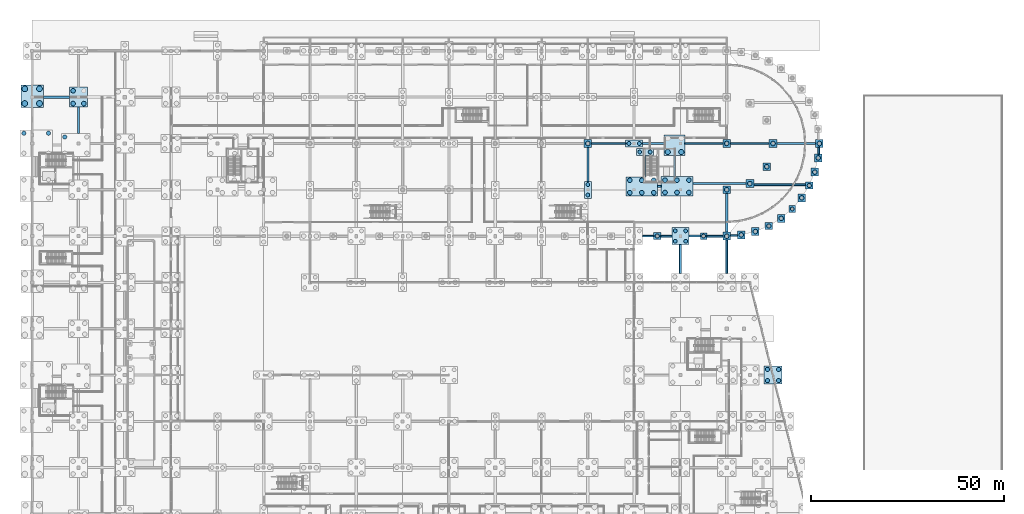
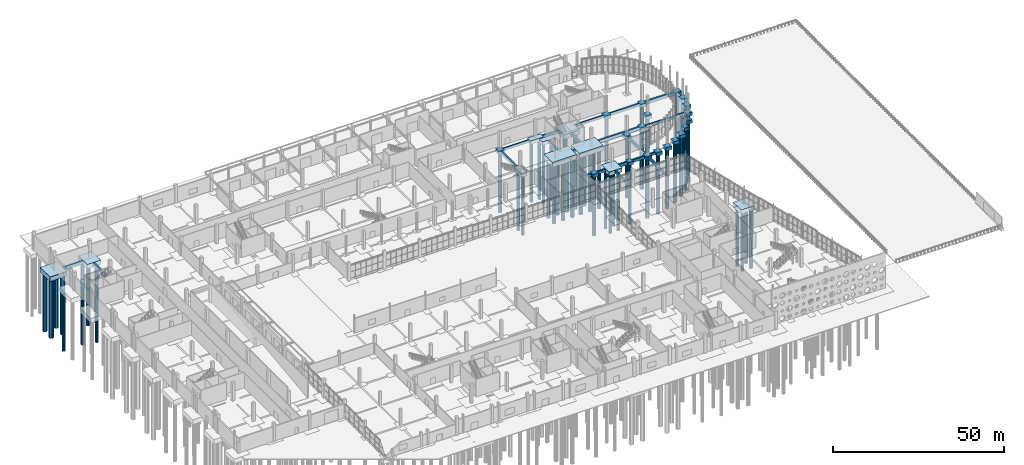
# One storey, part 11 of 117: 57 piles, 51 footings.
"""IFC4 building model written with IfcOpenShell, lengths in metres."""

import ifcopenshell
import ifcopenshell.guid

model = None  # the IFC model being written
_history = None  # IfcOwnerHistory: only IFC2X3 demands one
_inside = {}  # id of a spatial element -> (the spatial element, [elements in it])
_under = {}  # id of a project, library or spatial element -> (it, [spatial elements below it])
_declared = {}  # id of a project -> (the project, [libraries it declares])
_typed = {}  # id of a type object -> (the type object, [elements of that type])
_made_of = {}  # id of a material, layer set ... -> (it, [elements and type objects made of it])


def new_model(schema):
    """Start an empty IFC model of exactly this schema.

    Asked for "IFC4X3", IfcOpenShell would pick the latest addendum, in which some entities
    have other attributes; the version numbers below select the first issue.
    IFC2X3 requires an IfcOwnerHistory on every rooted entity: one is made here for all.
    """
    global model, _history
    if schema == "IFC4X3":
        model = ifcopenshell.file(schema_version=(4, 3, 0, 0))
    else:
        model = ifcopenshell.file(schema=schema)
    _inside.clear()
    _under.clear()
    _declared.clear()
    _typed.clear()
    _made_of.clear()
    _history = None
    if model.schema == "IFC2X3":
        org = make("IfcOrganization", Name="unknown")
        user = make(
            "IfcPersonAndOrganization",
            ThePerson=make("IfcPerson", FamilyName="unknown"),
            TheOrganization=org,
        )
        app = make(
            "IfcApplication",
            ApplicationDeveloper=org,
            Version="unknown",
            ApplicationFullName="unknown",
            ApplicationIdentifier="unknown",
        )
        _history = make(
            "IfcOwnerHistory",
            OwningUser=user,
            OwningApplication=app,
            ChangeAction="ADDED",
            CreationDate=0,
        )
    return model


def make(cls, **values):
    """One entity of the class cls with the attributes given. An attribute that is None is left unset."""
    return model.create_entity(
        cls, **{name: value for name, value in values.items() if value is not None}
    )


def rooted(cls, **values):
    """An entity with a GlobalId (a new one), such as an element, a storey or a relation."""
    return make(cls, GlobalId=ifcopenshell.guid.new(), OwnerHistory=_history, **values)


def si_unit(unit_type, name, prefix=None):
    """IfcSIUnit, for example si_unit("LENGTHUNIT", "METRE", prefix="MILLI")."""
    return make("IfcSIUnit", UnitType=unit_type, Prefix=prefix, Name=name)


def assignment(units):
    """IfcUnitAssignment: the units of a project."""
    return None if units is None else make("IfcUnitAssignment", Units=units)


def point(xyz):
    """IfcCartesianPoint."""
    return None if xyz is None else make("IfcCartesianPoint", Coordinates=xyz)


def direction(xyz):
    """IfcDirection."""
    return None if xyz is None else make("IfcDirection", DirectionRatios=xyz)


def frame(location, z_axis=None, x_axis=None):
    """IfcAxis2Placement3D, a coordinate frame: its origin and axes. An axis left out is left unset."""
    return make(
        "IfcAxis2Placement3D",
        Location=point(location),
        Axis=direction(z_axis),
        RefDirection=direction(x_axis),
    )


def frame_2d(location, x_axis=None):
    """IfcAxis2Placement2D, a coordinate frame in the plane: its origin and x axis."""
    return make(
        "IfcAxis2Placement2D", Location=point(location), RefDirection=direction(x_axis)
    )


def origin():
    """The frame at (0, 0, 0) with its axes left unset."""
    return frame((0.0, 0.0, 0.0))


def origin_2d():
    """The frame at (0, 0) in the plane with its x axis left unset."""
    return frame_2d((0.0, 0.0))


def place(relative_to, where):
    """IfcLocalPlacement: puts the frame where relative to a parent placement (None: the world)."""
    return make(
        "IfcLocalPlacement", PlacementRelTo=relative_to, RelativePlacement=where
    )


def context(
    kind, dimensions, precision=None, world=None, true_north=None, identifier=None
):
    """IfcGeometricRepresentationContext, for example the 3D "Model" context."""
    return make(
        "IfcGeometricRepresentationContext",
        ContextIdentifier=identifier,
        ContextType=kind,
        CoordinateSpaceDimension=dimensions,
        Precision=precision,
        WorldCoordinateSystem=world,
        TrueNorth=true_north,
    )


def subcontext(parent, identifier, kind, view, scale=None):
    """IfcGeometricRepresentationSubContext, for example "Body" below "Model"."""
    return make(
        "IfcGeometricRepresentationSubContext",
        ContextIdentifier=identifier,
        ContextType=kind,
        ParentContext=parent,
        TargetScale=scale,
        TargetView=view,
    )


def project(units=None, contexts=None):
    """IfcProject with its units and contexts."""
    return rooted(
        "IfcProject",
        Name="project",
        RepresentationContexts=contexts,
        UnitsInContext=assignment(units),
    )


def spatial(cls, under=None, at=None, **own):
    """A site, building, storey or space (cls), placed at a placement, below another one or the project."""
    s = rooted(cls, ObjectPlacement=at, **own)
    if under is not None:
        _under.setdefault(under.id(), (under, []))[1].append(s)
    return s


def profile(cls, at=None, kind="AREA", **sizes):
    """A parametric profile (cls). Its sizes go by their IFC names, for example OverallWidth=200.0."""
    return make(cls, ProfileType=kind, Position=at, **sizes)


def rectangle(**sizes):
    """IfcRectangleProfileDef."""
    return profile("IfcRectangleProfileDef", **sizes)


def circle(**sizes):
    """IfcCircleProfileDef."""
    return profile("IfcCircleProfileDef", **sizes)


def extrude(swept, where, along, depth):
    """IfcExtrudedAreaSolid: the profile swept, set in the frame where, extruded along a direction by depth."""
    return make(
        "IfcExtrudedAreaSolid",
        SweptArea=swept,
        Position=where,
        ExtrudedDirection=direction(along),
        Depth=depth,
    )


def shape(context_of_items, identifier, shape_type, items):
    """IfcShapeRepresentation: the items that make up one representation, for example the "Body"."""
    return make(
        "IfcShapeRepresentation",
        ContextOfItems=context_of_items,
        RepresentationIdentifier=identifier,
        RepresentationType=shape_type,
        Items=items,
    )


def material(Name=None, Category=None):
    """IfcMaterial."""
    return make("IfcMaterial", Name=Name, Category=Category)


def material_profile(
    of_material, cross_section, Name=None, Category=None, Priority=None
):
    """IfcMaterialProfile: a cross section and its material."""
    return make(
        "IfcMaterialProfile",
        Name=Name,
        Material=of_material,
        Profile=cross_section,
        Priority=Priority,
        Category=Category,
    )


def profile_set(profiles, Name=None, composite=None):
    """IfcMaterialProfileSet."""
    return make(
        "IfcMaterialProfileSet",
        Name=Name,
        MaterialProfiles=profiles,
        CompositeProfile=composite,
    )


def made_of(thing, what):
    """Note that an element or type object is made of a material, layer set ...; save() writes the relation."""
    if what is not None:
        _made_of.setdefault(what.id(), (what, []))[1].append(thing)
    return thing


def type_object(cls, material=None, **own):
    """A type object (cls), such as IfcWallType, which elements share."""
    return made_of(rooted(cls, **own), material)


def element(
    cls,
    number,
    at=None,
    inside=None,
    cuts=None,
    type_object=None,
    material=None,
    context=None,
    identifier="Body",
    shape_type=None,
    held_by="IfcProductDefinitionShape",
    body=None,
    shapes=None,
    **own,
):
    """One element of the class cls, such as IfcWall. Its Tag is "e" and its number.

    at: its placement. inside: the storey or other place that contains it. cuts: it is an
    opening in that element (IfcRelVoidsElement). A single representation is given by context,
    identifier, shape_type and body (its items); several are given by shapes. held_by: the class
    of the entity that holds the representations. save() writes the other relations.
    """
    e = rooted(cls, Tag="e%d" % number, ObjectPlacement=at, **own)
    if body is not None:
        shapes = [shape(context, identifier, shape_type, body)]
    if shapes is not None:
        e.Representation = make(held_by, Representations=shapes)
    if inside is not None:
        _inside.setdefault(inside.id(), (inside, []))[1].append(e)
    if cuts is not None:
        rooted(
            "IfcRelVoidsElement", RelatingBuildingElement=cuts, RelatedOpeningElement=e
        )
    if type_object is not None:
        _typed.setdefault(type_object.id(), (type_object, []))[1].append(e)
    return made_of(e, material)


def aggregate(whole, parts):
    """IfcRelAggregates: a whole, such as a stair, and the parts it consists of."""
    return rooted("IfcRelAggregates", RelatingObject=whole, RelatedObjects=parts)


def save(model, path):
    """Write the relations noted so far, then the file.

    IfcRelAggregates (storeys below a building ...), IfcRelContainedInSpatialStructure (elements
    in a storey), IfcRelDefinesByType, IfcRelAssociatesMaterial and IfcRelDeclares: one each for
    every whole, place, type object, material and project.
    """
    for whole, parts in _under.values():
        aggregate(whole, parts)
    for where, things in _inside.values():
        rooted(
            "IfcRelContainedInSpatialStructure",
            RelatedElements=things,
            RelatingStructure=where,
        )
    for kind, things in _typed.values():
        rooted("IfcRelDefinesByType", RelatedObjects=things, RelatingType=kind)
    for what, things in _made_of.values():
        rooted("IfcRelAssociatesMaterial", RelatedObjects=things, RelatingMaterial=what)
    for by, libraries in _declared.values():
        rooted("IfcRelDeclares", RelatingContext=by, RelatedDefinitions=libraries)
    model.write(path)


model = new_model("IFC4")

# Units and contexts
model_context = context("Model", 3, precision=1e-05, world=origin(), true_north=direction((0.0, 1.0)))
body_context = subcontext(model_context, "Body", "Model", "MODEL_VIEW")
ifc_project = project(units=[si_unit("LENGTHUNIT", "METRE"), si_unit("AREAUNIT", "SQUARE_METRE"), si_unit("VOLUMEUNIT", "CUBIC_METRE"), si_unit("PLANEANGLEUNIT", "RADIAN"), si_unit("MASSUNIT", "GRAM", prefix="KILO")], contexts=[model_context])

# Site, building, storey
site_placement = place(None, origin())
site = spatial("IfcSite", under=ifc_project, at=site_placement, CompositionType="ELEMENT")
building_placement = place(site_placement, origin())
building = spatial("IfcBuilding", under=site, at=building_placement, Name="Kamomehara Wholesale Market", CompositionType="ELEMENT")
storey_placement = place(building_placement, origin())
storey = spatial("IfcBuildingStorey", under=building, at=storey_placement, Name="L00", CompositionType="ELEMENT", Elevation=0.0)

# Footings
ifc_material_1 = material(Name="Concrete Fc30 (C30/37)", Category="concrete")
footing_type_1 = type_object("IfcFootingType", Name="CAP-1P-1700", PredefinedType="PILE_CAP", material=ifc_material_1)
for number, where, z_axis, x_axis, name in (
    (1, (174.0, 108.0, -1.10009765625), (0.0, 0.0, 1.0), (1.0, 0.0, 0.0), "Pile cap PC-01"),
    (2, (196.970947265625, 115.029052734375, -1.10009765625), (0.0, 0.0, 1.0), (1.0, 0.0, 0.0), "Pile cap PC-01"),
):
    element("IfcFooting", number, at=place(storey_placement, frame(where, z_axis=z_axis, x_axis=x_axis)), inside=storey, type_object=footing_type_1, Name=name, PredefinedType="PILE_CAP", context=body_context, shape_type="SweptSolid", body=[
        extrude(rectangle(XDim=1.699951171875, YDim=1.699951171875, at=origin_2d()), origin(), (0.0, 0.0, 1.0), 1.10009765625),
    ])
ifc_material_2 = material(Name="Concrete Fc30 (C30/37)", Category="concrete")
footing_type_2 = type_object("IfcFootingType", Name="CAP-1P-1850", PredefinedType="PILE_CAP", material=ifc_material_2)
for number, where, z_axis, x_axis, name in (
    (3, (162.0, 108.0, -1.14990234375), (0.0, 0.0, 1.0), (1.0, 0.0, 0.0), "Pile cap PC-02"),
    (4, (190.89599609375, 110.615966796875, -1.14990234375), (0.0, 0.0, 1.0), (1.0, 0.0, 0.0), "Pile cap PC-02"),
    (5, (201.384033203125, 121.10400390625, -1.14990234375), (0.0, 0.0, 1.0), (1.0, 0.0, 0.0), "Pile cap PC-02"),
):
    element("IfcFooting", number, at=place(storey_placement, frame(where, z_axis=z_axis, x_axis=x_axis)), inside=storey, type_object=footing_type_2, Name=name, PredefinedType="PILE_CAP", context=body_context, shape_type="SweptSolid", body=[
        extrude(rectangle(XDim=1.85009765625, YDim=1.85009765625, at=origin_2d()), origin(), (0.0, 0.0, 1.0), 1.14990234375),
    ])
ifc_material_3 = material(Name="Concrete Fc30 (C30/37)", Category="concrete")
footing_type_3 = type_object("IfcFootingType", Name="CAP-1P-2000", PredefinedType="PILE_CAP", material=ifc_material_3)
for number, where, z_axis, x_axis, name in (
    (6, (144.0, 132.0, -1.2001953125), (0.0, 0.0, 1.0), (1.0, 0.0, 0.0), "Pile cap PC-03"),
    (7, (180.0, 108.0, -1.2001953125), (0.0, 0.0, 1.0), (1.0, 0.0, 0.0), "Pile cap PC-03"),
    (8, (180.0, 120.0, -1.2001953125), (0.0, 0.0, 1.0), (1.0, 0.0, 0.0), "Pile cap PC-03"),
    (9, (180.0, 132.0, -1.2001953125), (0.0, 0.0, 1.0), (1.0, 0.0, 0.0), "Pile cap PC-03"),
    (10, (183.75390625, 108.294921875, -1.2001953125), (0.0, 0.0, 1.0), (1.0, 0.0, 0.0), "Pile cap PC-03"),
    (11, (186.0, 121.60791015625, -1.2001953125), (0.0, 0.0, 1.0), (1.0, 0.0, 0.0), "Pile cap PC-03"),
    (12, (187.416015625, 109.175048828125, -1.2001953125), (0.0, 0.0, 1.0), (1.0, 0.0, 0.0), "Pile cap PC-03"),
    (13, (190.39208984375, 126.0, -1.2001953125), (0.0, 0.0, 1.0), (1.0, 0.0, 0.0), "Pile cap PC-03"),
    (14, (192.0, 132.0, -1.2001953125), (0.0, 0.0, 1.0), (1.0, 0.0, 0.0), "Pile cap PC-03"),
    (15, (194.10693359375, 112.583984375, -1.2001953125), (0.0, 0.0, 1.0), (1.0, 0.0, 0.0), "Pile cap PC-03"),
    (16, (199.416015625, 117.89306640625, -1.2001953125), (0.0, 0.0, 1.0), (1.0, 0.0, 0.0), "Pile cap PC-03"),
    (17, (202.824951171875, 124.583984375, -1.2001953125), (0.0, 0.0, 1.0), (1.0, 0.0, 0.0), "Pile cap PC-03"),
    (18, (203.705078125, 128.24609375, -1.2001953125), (0.0, 0.0, 1.0), (1.0, 0.0, 0.0), "Pile cap PC-03"),
    (19, (204.0, 132.0, -1.2001953125), (0.0, 0.0, 1.0), (1.0, 0.0, 0.0), "Pile cap PC-03"),
):
    element("IfcFooting", number, at=place(storey_placement, frame(where, z_axis=z_axis, x_axis=x_axis)), inside=storey, type_object=footing_type_3, Name=name, PredefinedType="PILE_CAP", context=body_context, shape_type="SweptSolid", body=[
        extrude(rectangle(XDim=2.0, YDim=2.0, at=origin_2d()), origin(), (0.0, 0.0, 1.0), 1.199951171875),
    ])
ifc_material_4 = material(Name="Concrete Fc30 (C30/37)", Category="concrete")
footing_type_4 = type_object("IfcFootingType", Name="CAP-2PX-4400", PredefinedType="PILE_CAP", material=ifc_material_4)
for number, where, z_axis, x_axis, name in (
    (20, (156.0, 132.0, -1.25), (0.0, 0.0, 1.0), (1.0, 0.0, 0.0), "Pile cap PC-04"),
    (21, (158.800048828125, 129.800048828125, -1.25), (0.0, 0.0, 1.0), (1.0, 0.0, 0.0), "Pile cap PC-04"),
):
    element("IfcFooting", number, at=place(storey_placement, frame(where, z_axis=z_axis, x_axis=x_axis)), inside=storey, type_object=footing_type_4, Name=name, PredefinedType="PILE_CAP", context=body_context, shape_type="SweptSolid", body=[
        extrude(rectangle(XDim=4.39990234375, YDim=1.85009765625, at=origin_2d()), origin(), (0.0, 0.0, 1.0), 1.25),
    ])
ifc_material_5 = material(Name="Concrete Fc30 (C30/37)", Category="concrete")
footing_type_5 = type_object("IfcFootingType", Name="CAP-2PY-4400", PredefinedType="PILE_CAP", material=ifc_material_5)
footing_1_placement = place(storey_placement, frame((144.0, 120.0, -1.25), z_axis=(0.0, 0.0, 1.0), x_axis=(1.0, 0.0, 0.0)))
element("IfcFooting", 22, at=footing_1_placement, inside=storey, type_object=footing_type_5, Name="Pile cap PC-05", PredefinedType="PILE_CAP", context=body_context, shape_type="SweptSolid", body=[
    extrude(rectangle(XDim=1.85009765625, YDim=4.39990234375, at=origin_2d()), origin(), (0.0, 0.0, 1.0), 1.25),
])
ifc_material_6 = material(Name="Concrete Fc30 (C30/37)", Category="concrete")
footing_type_6 = type_object("IfcFootingType", Name="CAP-4P-4400", PredefinedType="PILE_CAP", material=ifc_material_6)
footing_2_placement = place(storey_placement, frame((168.0, 108.0, -1.39990234375), z_axis=(0.0, 0.0, 1.0), x_axis=(1.0, 0.0, 0.0)))
element("IfcFooting", 23, at=footing_2_placement, inside=storey, type_object=footing_type_6, Name="Pile cap PC-10", PredefinedType="PILE_CAP", context=body_context, shape_type="SweptSolid", body=[
    extrude(rectangle(XDim=4.39990234375, YDim=4.39990234375, at=origin_2d()), origin(), (0.0, 0.0, 1.0), 1.39990234375),
])
ifc_material_7 = material(Name="Concrete Fc30 (C30/37)", Category="concrete")
footing_type_7 = type_object("IfcFootingType", Name="CAP-4P-4700", PredefinedType="PILE_CAP", material=ifc_material_7)
footing_3_placement = place(storey_placement, frame((192.0, 72.0, -1.4501953125), z_axis=(0.0, 0.0, 1.0), x_axis=(1.0, 0.0, 0.0)))
element("IfcFooting", 24, at=footing_3_placement, inside=storey, type_object=footing_type_7, Name="Pile cap PC-11", PredefinedType="PILE_CAP", context=body_context, shape_type="SweptSolid", body=[
    extrude(rectangle(XDim=4.699951171875, YDim=4.699951171875, at=origin_2d()), origin(), (0.0, 0.0, 1.0), 1.449951171875),
])
ifc_material_8 = material(Name="Concrete Fc30 (C30/37)", Category="concrete")
footing_type_8 = type_object("IfcFootingType", Name="CAP-4P-5400", PredefinedType="PILE_CAP", material=ifc_material_8)
footing_4_placement = place(storey_placement, frame((166.462890625, 131.537109375, -1.60009765625), z_axis=(0.0, 0.0, 1.0), x_axis=(1.0, 0.0, 0.0)))
element("IfcFooting", 25, at=footing_4_placement, inside=storey, type_object=footing_type_8, Name="Pile cap PC-13", PredefinedType="PILE_CAP", context=body_context, shape_type="SweptSolid", body=[
    extrude(rectangle(XDim=5.39990234375, YDim=5.39990234375, at=origin_2d()), origin(), (0.0, 0.0, 1.0), 1.60009765625),
])
ifc_material_9 = material(Name="Concrete Fc30 (C30/37)", Category="concrete")
footing_type_9 = type_object("IfcFootingType", Name="CAP-4P-5800", PredefinedType="PILE_CAP", material=ifc_material_9)
footing_5_placement = place(storey_placement, frame((0.0, 144.261962890625, -1.7001953125), z_axis=(0.0, 0.0, 1.0), x_axis=(1.0, 0.0, 0.0)))
element("IfcFooting", 26, at=footing_5_placement, inside=storey, type_object=footing_type_9, Name="Pile cap PC-14", PredefinedType="PILE_CAP", context=body_context, shape_type="SweptSolid", body=[
    extrude(rectangle(XDim=5.800048828125, YDim=5.800048828125, at=origin_2d()), origin(), (0.0, 0.0, 1.0), 1.699951171875),
])
ifc_material_10 = material(Name="Concrete Fc30 (C30/37)", Category="concrete")
footing_type_10 = type_object("IfcFootingType", Name="CAP-4PR-4600", PredefinedType="PILE_CAP", material=ifc_material_10)
footing_6_placement = place(storey_placement, frame((12.0, 144.0, -1.5498046875), z_axis=(0.0, 0.0, 1.0), x_axis=(1.0, 0.0, 0.0)))
element("IfcFooting", 27, at=footing_6_placement, inside=storey, type_object=footing_type_10, Name="Pile cap PC-16", PredefinedType="PILE_CAP", context=body_context, shape_type="SweptSolid", body=[
    extrude(rectangle(XDim=4.60009765625, YDim=5.199951171875, at=origin_2d()), origin(), (0.0, 0.0, 1.0), 1.550048828125),
])
ifc_material_11 = material(Name="Concrete Fc30 (C30/37)", Category="concrete")
footing_type_11 = type_object("IfcFootingType", Name="CAP-6P-8200", PredefinedType="PILE_CAP", material=ifc_material_11)
for number, where, z_axis, x_axis, name in (
    (28, (158.0, 120.862060546875, -1.75), (0.0, 0.0, 1.0), (1.0, 0.0, 0.0), "Pile cap PC-17"),
    (29, (167.10009765625, 120.89990234375, -1.75), (0.0, 0.0, 1.0), (1.0, 0.0, 0.0), "Pile cap PC-17"),
):
    element("IfcFooting", number, at=place(storey_placement, frame(where, z_axis=z_axis, x_axis=x_axis)), inside=storey, type_object=footing_type_11, Name=name, PredefinedType="PILE_CAP", context=body_context, shape_type="SweptSolid", body=[
        extrude(rectangle(XDim=8.199951171875, YDim=5.0, at=origin_2d()), origin(), (0.0, 0.0, 1.0), 1.75),
    ])
ifc_material_12 = material(Name="Concrete Fc30 (C30/37)", Category="concrete")
ifc_material_profile_1 = material_profile(ifc_material_12, rectangle(XDim=0.449951171875, YDim=0.89990234375, at=origin_2d()), Name="RC-FTB-450x900")
ifc_profile_set_1 = profile_set([ifc_material_profile_1], Name="Concrete Fc30 (C30/37)")
footing_type_12 = type_object("IfcFootingType", Name="FTB-450x900", PredefinedType="FOOTING_BEAM", material=ifc_profile_set_1)
footing_7_placement = place(storey_placement, frame((145.001953125, 132.0, -0.449951171875), z_axis=(1.0, 0.0, 0.0), x_axis=(0.0, 1.0, 0.0)))
element("IfcFooting", 30, at=footing_7_placement, inside=storey, type_object=footing_type_12, Name="Foundation tie beam 151", PredefinedType="FOOTING_BEAM", context=body_context, shape_type="SweptSolid", body=[
    extrude(rectangle(XDim=0.449951171875, YDim=0.89990234375, at=origin_2d()), origin(), (0.0, 0.0, 1.0), 8.796142578125),
])
footing_8_placement = place(storey_placement, frame((158.201904296875, 108.0, -0.449951171875), z_axis=(1.0, 0.0, 0.0), x_axis=(0.0, 1.0, 0.0)))
element("IfcFooting", 31, at=footing_8_placement, inside=storey, type_object=footing_type_12, Name="Foundation tie beam 163", PredefinedType="FOOTING_BEAM", context=body_context, shape_type="SweptSolid", body=[
    extrude(rectangle(XDim=0.449951171875, YDim=0.89990234375, at=origin_2d()), origin(), (0.0, 0.0, 1.0), 2.87109375),
])
footing_9_placement = place(storey_placement, frame((169.1650390625, 132.0, -0.449951171875), z_axis=(1.0, 0.0, 0.0), x_axis=(0.0, 1.0, 0.0)))
element("IfcFooting", 32, at=footing_9_placement, inside=storey, type_object=footing_type_12, Name="Foundation tie beam 179", PredefinedType="FOOTING_BEAM", context=body_context, shape_type="SweptSolid", body=[
    extrude(rectangle(XDim=0.449951171875, YDim=0.89990234375, at=origin_2d()), origin(), (0.0, 0.0, 1.0), 9.8330078125),
])
for number, where, z_axis, x_axis, name in (
    (33, (181.001953125, 108.14794921875, -0.449951171875), (1.0, 0.0, 0.0), (0.0, 1.0, 0.0), "Foundation tie beam 191"),
    (34, (203.85302734375, 129.248046875, -0.449951171875), (0.0, 1.0, 0.0), (-1.0, 0.0, 0.0), "Foundation tie beam 347"),
):
    element("IfcFooting", number, at=place(storey_placement, frame(where, z_axis=z_axis, x_axis=x_axis)), inside=storey, type_object=footing_type_12, Name=name, PredefinedType="FOOTING_BEAM", context=body_context, shape_type="SweptSolid", body=[
        extrude(rectangle(XDim=0.449951171875, YDim=0.89990234375, at=origin_2d()), origin(), (0.0, 0.0, 1.0), 1.75),
    ])
ifc_material_13 = material(Name="Concrete Fc30 (C30/37)", Category="concrete")
ifc_material_profile_2 = material_profile(ifc_material_13, rectangle(XDim=0.5, YDim=1.0, at=origin_2d()), Name="RC-FTB-500x1000")
ifc_profile_set_2 = profile_set([ifc_material_profile_2], Name="Concrete Fc30 (C30/37)")
footing_type_13 = type_object("IfcFootingType", Name="FTB-500x1000", PredefinedType="FOOTING_BEAM", material=ifc_profile_set_2)
footing_10_placement = place(storey_placement, frame((162.10205078125, 120.881103515625, -0.5), z_axis=(1.0, 0.0, 0.0), x_axis=(0.0, 1.0, 0.0)))
element("IfcFooting", 35, at=footing_10_placement, inside=storey, type_object=footing_type_13, Name="Foundation tie beam 164", PredefinedType="FOOTING_BEAM", context=body_context, shape_type="SweptSolid", body=[
    extrude(rectangle(XDim=0.5, YDim=1.0, at=origin_2d()), origin(), (0.0, 0.0, 1.0), 0.89599609375),
])
footing_11_placement = place(storey_placement, frame((162.927001953125, 108.0, -0.5), z_axis=(1.0, 0.0, 0.0), x_axis=(0.0, 1.0, 0.0)))
element("IfcFooting", 36, at=footing_11_placement, inside=storey, type_object=footing_type_13, Name="Foundation tie beam 168", PredefinedType="FOOTING_BEAM", context=body_context, shape_type="SweptSolid", body=[
    extrude(rectangle(XDim=0.5, YDim=1.0, at=origin_2d()), origin(), (0.0, 0.0, 1.0), 2.87109375),
])
footing_12_placement = place(storey_placement, frame((174.85205078125, 108.0, -0.5), z_axis=(1.0, 0.0, 0.0), x_axis=(0.0, 1.0, 0.0)))
element("IfcFooting", 37, at=footing_12_placement, inside=storey, type_object=footing_type_13, Name="Foundation tie beam 184", PredefinedType="FOOTING_BEAM", context=body_context, shape_type="SweptSolid", body=[
    extrude(rectangle(XDim=0.5, YDim=1.0, at=origin_2d()), origin(), (0.0, 0.0, 1.0), 4.14599609375),
])
footing_13_placement = place(storey_placement, frame((181.001953125, 132.0, -0.5), z_axis=(1.0, 0.0, 0.0), x_axis=(0.0, 1.0, 0.0)))
element("IfcFooting", 38, at=footing_13_placement, inside=storey, type_object=footing_type_13, Name="Foundation tie beam 192", PredefinedType="FOOTING_BEAM", context=body_context, shape_type="SweptSolid", body=[
    extrude(rectangle(XDim=0.5, YDim=1.0, at=origin_2d()), origin(), (0.0, 0.0, 1.0), 9.99609375),
])
footing_14_placement = place(storey_placement, frame((187.001953125, 121.319091796875, -0.5), z_axis=(1.0, 0.0, 0.0), x_axis=(0.0, 1.0, 0.0)))
element("IfcFooting", 39, at=footing_14_placement, inside=storey, type_object=footing_type_13, Name="Foundation tie beam 196", PredefinedType="FOOTING_BEAM", context=body_context, shape_type="SweptSolid", body=[
    extrude(rectangle(XDim=0.5, YDim=1.0, at=origin_2d()), origin(), (0.0, 0.0, 1.0), 13.455078125),
])
footing_15_placement = place(storey_placement, frame((158.800048828125, 123.364013671875, -0.5), z_axis=(0.0, 1.0, 0.0), x_axis=(-1.0, 0.0, 0.0)))
element("IfcFooting", 40, at=footing_15_placement, inside=storey, type_object=footing_type_13, Name="Foundation tie beam 324", PredefinedType="FOOTING_BEAM", context=body_context, shape_type="SweptSolid", body=[
    extrude(rectangle(XDim=0.5, YDim=1.0, at=origin_2d()), origin(), (0.0, 0.0, 1.0), 5.509033203125),
])
footing_16_placement = place(storey_placement, frame((168.0, 98.35205078125, -0.5), z_axis=(0.0, 1.0, 0.0), x_axis=(-1.0, 0.0, 0.0)))
element("IfcFooting", 41, at=footing_16_placement, inside=storey, type_object=footing_type_13, Name="Foundation tie beam 332", PredefinedType="FOOTING_BEAM", context=body_context, shape_type="SweptSolid", body=[
    extrude(rectangle(XDim=0.5, YDim=1.0, at=origin_2d()), origin(), (0.0, 0.0, 1.0), 7.446044921875),
])
footing_17_placement = place(storey_placement, frame((180.0, 98.35205078125, -0.5), z_axis=(0.0, 1.0, 0.0), x_axis=(-1.0, 0.0, 0.0)))
element("IfcFooting", 42, at=footing_17_placement, inside=storey, type_object=footing_type_13, Name="Foundation tie beam 340", PredefinedType="FOOTING_BEAM", context=body_context, shape_type="SweptSolid", body=[
    extrude(rectangle(XDim=0.5, YDim=1.0, at=origin_2d()), origin(), (0.0, 0.0, 1.0), 8.64599609375),
])
ifc_material_14 = material(Name="Concrete Fc30 (C30/37)", Category="concrete")
ifc_material_profile_3 = material_profile(ifc_material_14, rectangle(XDim=0.550048828125, YDim=1.10009765625, at=origin_2d()), Name="RC-FTB-550x1100")
ifc_profile_set_3 = profile_set([ifc_material_profile_3], Name="Concrete Fc30 (C30/37)")
footing_type_14 = type_object("IfcFootingType", Name="FTB-550x1100", PredefinedType="FOOTING_BEAM", material=ifc_profile_set_3)
footing_18_placement = place(storey_placement, frame((158.201904296875, 132.0, -0.550048828125), z_axis=(1.0, 0.0, 0.0), x_axis=(0.0, 1.0, 0.0)))
element("IfcFooting", 43, at=footing_18_placement, inside=storey, type_object=footing_type_14, Name="Foundation tie beam 165", PredefinedType="FOOTING_BEAM", context=body_context, shape_type="SweptSolid", body=[
    extrude(rectangle(XDim=0.550048828125, YDim=1.10009765625, at=origin_2d()), origin(), (0.0, 0.0, 1.0), 5.55908203125),
])
footing_19_placement = place(storey_placement, frame((170.201904296875, 108.0, -0.550048828125), z_axis=(1.0, 0.0, 0.0), x_axis=(0.0, 1.0, 0.0)))
element("IfcFooting", 44, at=footing_19_placement, inside=storey, type_object=footing_type_14, Name="Foundation tie beam 177", PredefinedType="FOOTING_BEAM", context=body_context, shape_type="SweptSolid", body=[
    extrude(rectangle(XDim=0.550048828125, YDim=1.10009765625, at=origin_2d()), origin(), (0.0, 0.0, 1.0), 2.946044921875),
])
footing_20_placement = place(storey_placement, frame((144.0, 122.201904296875, -0.550048828125), z_axis=(0.0, 1.0, 0.0), x_axis=(-1.0, 0.0, 0.0)))
element("IfcFooting", 45, at=footing_20_placement, inside=storey, type_object=footing_type_14, Name="Foundation tie beam 313", PredefinedType="FOOTING_BEAM", context=body_context, shape_type="SweptSolid", body=[
    extrude(rectangle(XDim=0.550048828125, YDim=1.10009765625, at=origin_2d()), origin(), (0.0, 0.0, 1.0), 8.796142578125),
])
footing_21_placement = place(storey_placement, frame((166.462890625, 123.402099609375, -0.550048828125), z_axis=(0.0, 1.0, 0.0), x_axis=(-1.0, 0.0, 0.0)))
element("IfcFooting", 46, at=footing_21_placement, inside=storey, type_object=footing_type_14, Name="Foundation tie beam 333", PredefinedType="FOOTING_BEAM", context=body_context, shape_type="SweptSolid", body=[
    extrude(rectangle(XDim=0.550048828125, YDim=1.10009765625, at=origin_2d()), origin(), (0.0, 0.0, 1.0), 5.432861328125),
])
footing_22_placement = place(storey_placement, frame((180.0, 109.001953125, -0.550048828125), z_axis=(0.0, 1.0, 0.0), x_axis=(-1.0, 0.0, 0.0)))
element("IfcFooting", 47, at=footing_22_placement, inside=storey, type_object=footing_type_14, Name="Foundation tie beam 341", PredefinedType="FOOTING_BEAM", context=body_context, shape_type="SweptSolid", body=[
    extrude(rectangle(XDim=0.550048828125, YDim=1.10009765625, at=origin_2d()), origin(), (0.0, 0.0, 1.0), 9.99609375),
])
ifc_material_15 = material(Name="Concrete Fc30 (C30/37)", Category="concrete")
ifc_material_profile_4 = material_profile(ifc_material_15, rectangle(XDim=0.60009765625, YDim=1.199951171875, at=origin_2d()), Name="RC-FTB-600x1200")
ifc_profile_set_4 = profile_set([ifc_material_profile_4], Name="Concrete Fc30 (C30/37)")
footing_type_15 = type_object("IfcFootingType", Name="FTB-600x1200", PredefinedType="FOOTING_BEAM", material=ifc_profile_set_4)
footing_23_placement = place(storey_placement, frame((2.902099609375, 144.0, -0.60009765625), z_axis=(1.0, 0.0, 0.0), x_axis=(0.0, 1.0, 0.0)))
element("IfcFooting", 48, at=footing_23_placement, inside=storey, type_object=footing_type_15, Name="Foundation tie beam 10", PredefinedType="FOOTING_BEAM", context=body_context, shape_type="SweptSolid", body=[
    extrude(rectangle(XDim=0.60009765625, YDim=1.199951171875, at=origin_2d()), origin(), (0.0, 0.0, 1.0), 6.7958984375),
])
footing_24_placement = place(storey_placement, frame((171.201904296875, 121.60791015625, -0.60009765625), z_axis=(1.0, 0.0, 0.0), x_axis=(0.0, 1.0, 0.0)))
element("IfcFooting", 49, at=footing_24_placement, inside=storey, type_object=footing_type_15, Name="Foundation tie beam 178", PredefinedType="FOOTING_BEAM", context=body_context, shape_type="SweptSolid", body=[
    extrude(rectangle(XDim=0.60009765625, YDim=1.199951171875, at=origin_2d()), origin(), (0.0, 0.0, 1.0), 13.796142578125),
])
footing_25_placement = place(storey_placement, frame((193.001953125, 132.0, -0.60009765625), z_axis=(1.0, 0.0, 0.0), x_axis=(0.0, 1.0, 0.0)))
element("IfcFooting", 50, at=footing_25_placement, inside=storey, type_object=footing_type_15, Name="Foundation tie beam 202", PredefinedType="FOOTING_BEAM", context=body_context, shape_type="SweptSolid", body=[
    extrude(rectangle(XDim=0.60009765625, YDim=1.199951171875, at=origin_2d()), origin(), (0.0, 0.0, 1.0), 9.99609375),
])
footing_26_placement = place(storey_placement, frame((12.0, 134.5400390625, -0.60009765625), z_axis=(0.0, 1.0, 0.0), x_axis=(-1.0, 0.0, 0.0)))
element("IfcFooting", 51, at=footing_26_placement, inside=storey, type_object=footing_type_15, Name="Foundation tie beam 218", PredefinedType="FOOTING_BEAM", context=body_context, shape_type="SweptSolid", body=[
    extrude(rectangle(XDim=0.60009765625, YDim=1.199951171875, at=origin_2d()), origin(), (0.0, 0.0, 1.0), 6.85791015625),
])

# Piles
ifc_material_16 = material(Name="Concrete Fc30 (C30/37)", Category="concrete")
ifc_material_profile_5 = material_profile(ifc_material_16, circle(Radius=0.5, at=origin_2d()), Name="RC-PILE-D1000")
ifc_profile_set_5 = profile_set([ifc_material_profile_5], Name="Concrete Fc30 (C30/37)")
pile_type_1 = type_object("IfcPileType", Name="PILE-D1000", PredefinedType="BORED", material=ifc_profile_set_5)
for number, where, z_axis, x_axis, name in (
    (52, (144.0, 118.64990234375, -1.14990234375), (0.0, 0.0, -1.0), (1.0, 0.0, 0.0), "Bored pile 168.473"),
    (53, (144.0, 121.35009765625, -1.14990234375), (0.0, 0.0, -1.0), (1.0, 0.0, 0.0), "Bored pile 168.474"),
    (54, (154.64990234375, 132.0, -1.14990234375), (0.0, 0.0, -1.0), (1.0, 0.0, 0.0), "Bored pile 184.526"),
    (55, (157.35009765625, 132.0, -1.14990234375), (0.0, 0.0, -1.0), (1.0, 0.0, 0.0), "Bored pile 184.527"),
):
    element("IfcPile", number, at=place(storey_placement, frame(where, z_axis=z_axis, x_axis=x_axis)), inside=storey, type_object=pile_type_1, Name=name, PredefinedType="BORED", context=body_context, shape_type="SweptSolid", body=[
        extrude(circle(Radius=0.5, at=origin_2d()), origin(), (0.0, 0.0, 1.0), 21.35009765625),
    ])
for number, where, z_axis, x_axis, name in (
    (56, (166.64990234375, 106.64990234375, -1.300048828125), (0.0, 0.0, -1.0), (1.0, 0.0, 0.0), "Bored pile 197.568"),
    (57, (169.35009765625, 106.64990234375, -1.300048828125), (0.0, 0.0, -1.0), (1.0, 0.0, 0.0), "Bored pile 197.569"),
    (58, (166.64990234375, 109.35009765625, -1.300048828125), (0.0, 0.0, -1.0), (1.0, 0.0, 0.0), "Bored pile 197.570"),
    (59, (169.35009765625, 109.35009765625, -1.300048828125), (0.0, 0.0, -1.0), (1.0, 0.0, 0.0), "Bored pile 197.571"),
):
    element("IfcPile", number, at=place(storey_placement, frame(where, z_axis=z_axis, x_axis=x_axis)), inside=storey, type_object=pile_type_1, Name=name, PredefinedType="BORED", context=body_context, shape_type="SweptSolid", body=[
        extrude(circle(Radius=0.5, at=origin_2d()), origin(), (0.0, 0.0, 1.0), 21.199951171875),
    ])
for number, where, z_axis, x_axis, name in (
    (60, (174.0, 108.0, -1.0), (0.0, 0.0, -1.0), (1.0, 0.0, 0.0), "Bored pile 204.591"),
    (61, (196.970947265625, 115.029052734375, -1.0), (0.0, 0.0, -1.0), (1.0, 0.0, 0.0), "Bored pile 243.677"),
):
    element("IfcPile", number, at=place(storey_placement, frame(where, z_axis=z_axis, x_axis=x_axis)), inside=storey, type_object=pile_type_1, Name=name, PredefinedType="BORED", context=body_context, shape_type="SweptSolid", body=[
        extrude(circle(Radius=0.5, at=origin_2d()), origin(), (0.0, 0.0, 1.0), 21.5),
    ])
for number, where, z_axis, x_axis, name in (
    (62, (157.449951171875, 129.800048828125, -1.14990234375), (0.0, 0.0, -1.0), (1.0, 0.0, 0.0), "Bored pile 259.704"),
    (63, (160.14990234375, 129.800048828125, -1.14990234375), (0.0, 0.0, -1.0), (1.0, 0.0, 0.0), "Bored pile 259.705"),
):
    element("IfcPile", number, at=place(storey_placement, frame(where, z_axis=z_axis, x_axis=x_axis)), inside=storey, type_object=pile_type_1, Name=name, PredefinedType="BORED", context=body_context, shape_type="SweptSolid", body=[
        extrude(circle(Radius=0.5, at=origin_2d()), origin(), (0.0, 0.0, 1.0), 21.35009765625),
    ])
ifc_material_17 = material(Name="Concrete Fc30 (C30/37)", Category="concrete")
ifc_material_profile_6 = material_profile(ifc_material_17, circle(Radius=0.550048828125, at=origin_2d()), Name="RC-PILE-D1100")
ifc_profile_set_6 = profile_set([ifc_material_profile_6], Name="Concrete Fc30 (C30/37)")
pile_type_2 = type_object("IfcPileType", Name="PILE-D1100", PredefinedType="BORED", material=ifc_profile_set_6)
for number, where, z_axis, x_axis, name in (
    (64, (-2.14990234375, 134.662109375, -1.550048828125), (0.0, 0.0, -1.0), (1.0, 0.0, 0.0), "Bored pile 9.35"),
    (65, (4.25, 134.662109375, -1.550048828125), (0.0, 0.0, -1.0), (1.0, 0.0, 0.0), "Bored pile 9.36"),
    (66, (8.449951171875, 133.68798828125, -1.550048828125), (0.0, 0.0, -1.0), (1.0, 0.0, 0.0), "Bored pile 20.77"),
):
    element("IfcPile", number, at=place(storey_placement, frame(where, z_axis=z_axis, x_axis=x_axis)), inside=storey, type_object=pile_type_2, Name=name, PredefinedType="BORED", context=body_context, shape_type="SweptSolid", body=[
        extrude(circle(Radius=0.550048828125, at=origin_2d()), origin(), (0.0, 0.0, 1.0), 20.949951171875),
    ])
for number, where, z_axis, x_axis, name in (
    (67, (162.0, 108.0, -1.050048828125), (0.0, 0.0, -1.0), (1.0, 0.0, 0.0), "Bored pile 187.534"),
    (68, (190.89599609375, 110.615966796875, -1.050048828125), (0.0, 0.0, -1.0), (1.0, 0.0, 0.0), "Bored pile 235.662"),
):
    element("IfcPile", number, at=place(storey_placement, frame(where, z_axis=z_axis, x_axis=x_axis)), inside=storey, type_object=pile_type_2, Name=name, PredefinedType="BORED", context=body_context, shape_type="SweptSolid", body=[
        extrude(circle(Radius=0.550048828125, at=origin_2d()), origin(), (0.0, 0.0, 1.0), 21.449951171875),
    ])
for number, where, z_axis, x_axis, name in (
    (69, (190.550048828125, 70.550048828125, -1.35009765625), (0.0, 0.0, -1.0), (1.0, 0.0, 0.0), "Bored pile 238.666"),
    (70, (193.449951171875, 70.550048828125, -1.35009765625), (0.0, 0.0, -1.0), (1.0, 0.0, 0.0), "Bored pile 238.667"),
    (71, (190.550048828125, 73.449951171875, -1.35009765625), (0.0, 0.0, -1.0), (1.0, 0.0, 0.0), "Bored pile 238.668"),
    (72, (193.449951171875, 73.449951171875, -1.35009765625), (0.0, 0.0, -1.0), (1.0, 0.0, 0.0), "Bored pile 238.669"),
):
    element("IfcPile", number, at=place(storey_placement, frame(where, z_axis=z_axis, x_axis=x_axis)), inside=storey, type_object=pile_type_2, Name=name, PredefinedType="BORED", context=body_context, shape_type="SweptSolid", body=[
        extrude(circle(Radius=0.550048828125, at=origin_2d()), origin(), (0.0, 0.0, 1.0), 21.14990234375),
    ])
pile_1_placement = place(storey_placement, frame((201.384033203125, 121.10400390625, -1.050048828125), z_axis=(0.0, 0.0, -1.0), x_axis=(1.0, 0.0, 0.0)))
element("IfcPile", 73, at=pile_1_placement, inside=storey, type_object=pile_type_2, Name="Bored pile 250.693", PredefinedType="BORED", context=body_context, shape_type="SweptSolid", body=[
    extrude(circle(Radius=0.550048828125, at=origin_2d()), origin(), (0.0, 0.0, 1.0), 21.449951171875),
])
ifc_material_18 = material(Name="Concrete Fc30 (C30/37)", Category="concrete")
ifc_material_profile_7 = material_profile(ifc_material_18, circle(Radius=0.60009765625, at=origin_2d()), Name="RC-PILE-D1200")
ifc_profile_set_7 = profile_set([ifc_material_profile_7], Name="Concrete Fc30 (C30/37)")
pile_type_3 = type_object("IfcPileType", Name="PILE-D1200", PredefinedType="BORED", material=ifc_profile_set_7)
for number, where, z_axis, x_axis, name in (
    (74, (10.60009765625, 142.35009765625, -1.449951171875), (0.0, 0.0, -1.0), (1.0, 0.0, 0.0), "Bored pile 21.79"),
    (75, (13.39990234375, 142.35009765625, -1.449951171875), (0.0, 0.0, -1.0), (1.0, 0.0, 0.0), "Bored pile 21.80"),
    (76, (10.60009765625, 145.64990234375, -1.449951171875), (0.0, 0.0, -1.0), (1.0, 0.0, 0.0), "Bored pile 21.81"),
):
    element("IfcPile", number, at=place(storey_placement, frame(where, z_axis=z_axis, x_axis=x_axis)), inside=storey, type_object=pile_type_3, Name=name, PredefinedType="BORED", context=body_context, shape_type="SweptSolid", body=[
        extrude(circle(Radius=0.60009765625, at=origin_2d()), origin(), (0.0, 0.0, 1.0), 21.050048828125),
    ])
pile_2_placement = place(storey_placement, frame((144.0, 132.0, -1.10009765625), z_axis=(0.0, 0.0, -1.0), x_axis=(1.0, 0.0, 0.0)))
element("IfcPile", 77, at=pile_2_placement, inside=storey, type_object=pile_type_3, Name="Bored pile 169.475", PredefinedType="BORED", context=body_context, shape_type="SweptSolid", body=[
    extrude(circle(Radius=0.60009765625, at=origin_2d()), origin(), (0.0, 0.0, 1.0), 21.39990234375),
])
for number, where, z_axis, x_axis, name in (
    (78, (154.89990234375, 119.261962890625, -1.64990234375), (0.0, 0.0, -1.0), (1.0, 0.0, 0.0), "Bored pile 183.520"),
    (79, (158.0, 119.261962890625, -1.64990234375), (0.0, 0.0, -1.0), (1.0, 0.0, 0.0), "Bored pile 183.521"),
    (80, (161.10009765625, 119.261962890625, -1.64990234375), (0.0, 0.0, -1.0), (1.0, 0.0, 0.0), "Bored pile 183.522"),
    (81, (154.89990234375, 122.4619140625, -1.64990234375), (0.0, 0.0, -1.0), (1.0, 0.0, 0.0), "Bored pile 183.523"),
    (82, (158.0, 122.4619140625, -1.64990234375), (0.0, 0.0, -1.0), (1.0, 0.0, 0.0), "Bored pile 183.524"),
    (83, (161.10009765625, 122.4619140625, -1.64990234375), (0.0, 0.0, -1.0), (1.0, 0.0, 0.0), "Bored pile 183.525"),
    (84, (164.0, 119.300048828125, -1.64990234375), (0.0, 0.0, -1.0), (1.0, 0.0, 0.0), "Bored pile 198.572"),
    (85, (167.10009765625, 119.300048828125, -1.64990234375), (0.0, 0.0, -1.0), (1.0, 0.0, 0.0), "Bored pile 198.573"),
    (86, (170.199951171875, 119.300048828125, -1.64990234375), (0.0, 0.0, -1.0), (1.0, 0.0, 0.0), "Bored pile 198.574"),
    (87, (164.0, 122.5, -1.64990234375), (0.0, 0.0, -1.0), (1.0, 0.0, 0.0), "Bored pile 198.575"),
    (88, (167.10009765625, 122.5, -1.64990234375), (0.0, 0.0, -1.0), (1.0, 0.0, 0.0), "Bored pile 198.576"),
    (89, (170.199951171875, 122.5, -1.64990234375), (0.0, 0.0, -1.0), (1.0, 0.0, 0.0), "Bored pile 198.577"),
):
    element("IfcPile", number, at=place(storey_placement, frame(where, z_axis=z_axis, x_axis=x_axis)), inside=storey, type_object=pile_type_3, Name=name, PredefinedType="BORED", context=body_context, shape_type="SweptSolid", body=[
        extrude(circle(Radius=0.60009765625, at=origin_2d()), origin(), (0.0, 0.0, 1.0), 20.85009765625),
    ])
for number, where, z_axis, x_axis, name in (
    (90, (180.0, 108.0, -1.10009765625), (0.0, 0.0, -1.0), (1.0, 0.0, 0.0), "Bored pile 213.619"),
    (91, (180.0, 120.0, -1.10009765625), (0.0, 0.0, -1.0), (1.0, 0.0, 0.0), "Bored pile 214.620"),
    (92, (180.0, 132.0, -1.10009765625), (0.0, 0.0, -1.0), (1.0, 0.0, 0.0), "Bored pile 215.621"),
    (93, (183.75390625, 108.294921875, -1.10009765625), (0.0, 0.0, -1.0), (1.0, 0.0, 0.0), "Bored pile 218.624"),
    (94, (186.0, 121.60791015625, -1.10009765625), (0.0, 0.0, -1.0), (1.0, 0.0, 0.0), "Bored pile 224.640"),
    (95, (187.416015625, 109.175048828125, -1.10009765625), (0.0, 0.0, -1.0), (1.0, 0.0, 0.0), "Bored pile 226.642"),
    (96, (190.39208984375, 126.0, -1.10009765625), (0.0, 0.0, -1.0), (1.0, 0.0, 0.0), "Bored pile 233.660"),
    (97, (192.0, 132.0, -1.10009765625), (0.0, 0.0, -1.0), (1.0, 0.0, 0.0), "Bored pile 239.670"),
    (98, (194.10693359375, 112.583984375, -1.10009765625), (0.0, 0.0, -1.0), (1.0, 0.0, 0.0), "Bored pile 240.671"),
    (99, (199.416015625, 117.89306640625, -1.10009765625), (0.0, 0.0, -1.0), (1.0, 0.0, 0.0), "Bored pile 247.687"),
    (100, (202.824951171875, 124.583984375, -1.10009765625), (0.0, 0.0, -1.0), (1.0, 0.0, 0.0), "Bored pile 252.695"),
    (101, (203.705078125, 128.24609375, -1.10009765625), (0.0, 0.0, -1.0), (1.0, 0.0, 0.0), "Bored pile 254.697"),
    (102, (204.0, 132.0, -1.10009765625), (0.0, 0.0, -1.0), (1.0, 0.0, 0.0), "Bored pile 256.699"),
):
    element("IfcPile", number, at=place(storey_placement, frame(where, z_axis=z_axis, x_axis=x_axis)), inside=storey, type_object=pile_type_3, Name=name, PredefinedType="BORED", context=body_context, shape_type="SweptSolid", body=[
        extrude(circle(Radius=0.60009765625, at=origin_2d()), origin(), (0.0, 0.0, 1.0), 21.39990234375),
    ])
ifc_material_19 = material(Name="Concrete Fc30 (C30/37)", Category="concrete")
ifc_material_profile_8 = material_profile(ifc_material_19, circle(Radius=0.675048828125, at=origin_2d()), Name="RC-PILE-D1350")
ifc_profile_set_8 = profile_set([ifc_material_profile_8], Name="Concrete Fc30 (C30/37)")
pile_type_4 = type_object("IfcPileType", Name="PILE-D1350", PredefinedType="BORED", material=ifc_profile_set_8)
for number, where, z_axis, x_axis, name in (
    (103, (164.712890625, 129.787109375, -1.5), (0.0, 0.0, -1.0), (1.0, 0.0, 0.0), "Bored pile 199.578"),
    (104, (168.212890625, 129.787109375, -1.5), (0.0, 0.0, -1.0), (1.0, 0.0, 0.0), "Bored pile 199.579"),
):
    element("IfcPile", number, at=place(storey_placement, frame(where, z_axis=z_axis, x_axis=x_axis)), inside=storey, type_object=pile_type_4, Name=name, PredefinedType="BORED", context=body_context, shape_type="SweptSolid", body=[
        extrude(circle(Radius=0.675048828125, at=origin_2d()), origin(), (0.0, 0.0, 1.0), 21.0),
    ])
ifc_material_20 = material(Name="Concrete Fc30 (C30/37)", Category="concrete")
ifc_material_profile_9 = material_profile(ifc_material_20, circle(Radius=0.75, at=origin_2d()), Name="RC-PILE-D1500")
ifc_profile_set_9 = profile_set([ifc_material_profile_9], Name="Concrete Fc30 (C30/37)")
pile_type_5 = type_object("IfcPileType", Name="PILE-D1500", PredefinedType="BORED", material=ifc_profile_set_9)
for number, where, z_axis, x_axis, name in (
    (105, (-1.89990234375, 142.362060546875, -1.60009765625), (0.0, 0.0, -1.0), (1.0, 0.0, 0.0), "Bored pile 10.37"),
    (106, (1.89990234375, 142.362060546875, -1.60009765625), (0.0, 0.0, -1.0), (1.0, 0.0, 0.0), "Bored pile 10.38"),
    (107, (-1.89990234375, 146.162109375, -1.60009765625), (0.0, 0.0, -1.0), (1.0, 0.0, 0.0), "Bored pile 10.39"),
    (108, (1.89990234375, 146.162109375, -1.60009765625), (0.0, 0.0, -1.0), (1.0, 0.0, 0.0), "Bored pile 10.40"),
):
    element("IfcPile", number, at=place(storey_placement, frame(where, z_axis=z_axis, x_axis=x_axis)), inside=storey, type_object=pile_type_5, Name=name, PredefinedType="BORED", context=body_context, shape_type="SweptSolid", body=[
        extrude(circle(Radius=0.75, at=origin_2d()), origin(), (0.0, 0.0, 1.0), 20.89990234375),
    ])

save(model, "model.ifc")
